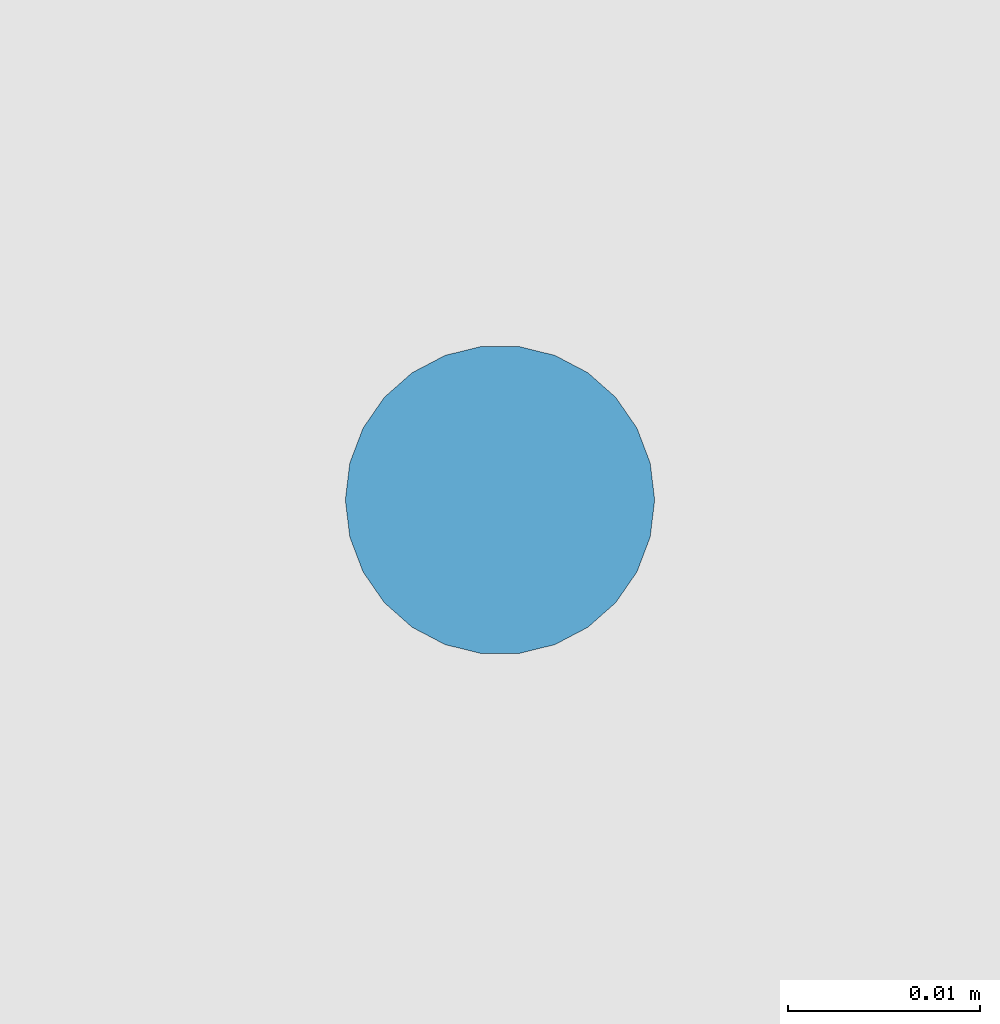
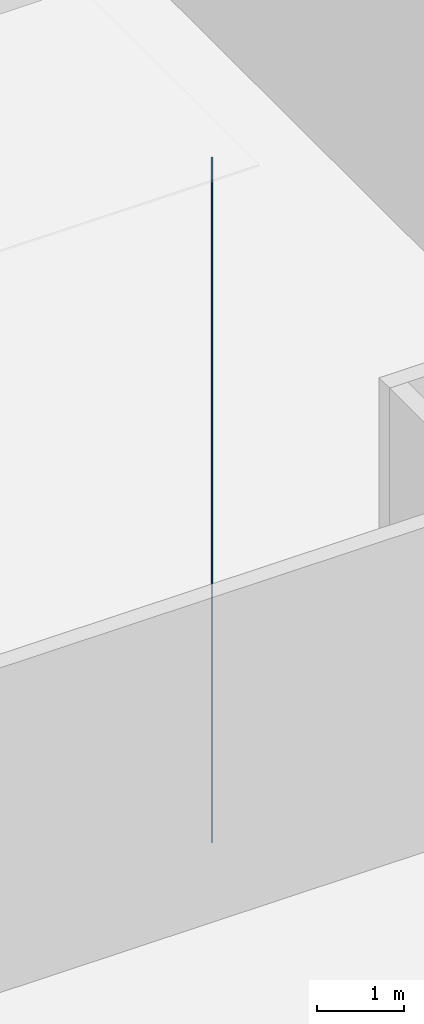
# One storey, part 63 of 82: 1 discrete accessory.
"""IFC4 building model written with IfcOpenShell, lengths in metres."""

from ifc_helpers import new_model, si_unit, direction, frame, origin, origin_2d, place, context, subcontext, project, spatial, circle, extrude, material, type_object, element, save


model = new_model("IFC4")

# Units and contexts
model_context = context("Model", 3, precision=1e-05, world=origin(), true_north=direction((0.0, 1.0)))
body_context = subcontext(model_context, "Body", "Model", "MODEL_VIEW")
ifc_project = project(units=[si_unit("LENGTHUNIT", "METRE"), si_unit("AREAUNIT", "SQUARE_METRE"), si_unit("VOLUMEUNIT", "CUBIC_METRE"), si_unit("PLANEANGLEUNIT", "RADIAN"), si_unit("MASSUNIT", "GRAM", prefix="KILO")], contexts=[model_context])

# Site, building, storey
site_placement = place(None, origin())
site = spatial("IfcSite", under=ifc_project, at=site_placement, CompositionType="ELEMENT")
building_placement = place(site_placement, origin())
building = spatial("IfcBuilding", under=site, at=building_placement, Name="Yukiwa Park Conservatory and Herbarium", CompositionType="ELEMENT")
storey_placement = place(building_placement, origin())
storey = spatial("IfcBuildingStorey", under=building, at=storey_placement, Name="L00", CompositionType="ELEMENT", Elevation=0.0)

# Discrete accessory
ifc_material = material(Name="Steel Q235B", Category="steel")
discrete_accessory_type = type_object("IfcDiscreteAccessoryType", Name="ACC-CEILING-HANGER", PredefinedType="BRACKET", material=ifc_material)
discrete_accessory_placement = place(storey_placement, frame((52.5, 88.39990234375, 8.625), z_axis=(0.0, 0.0, -1.0), x_axis=(1.0, 0.0, 0.0)))
element("IfcDiscreteAccessory", 1, at=discrete_accessory_placement, inside=storey, type_object=discrete_accessory_type, Name="Ceiling suspension hanger rod 10", PredefinedType="BRACKET", context=body_context, shape_type="SweptSolid", body=[
    extrude(circle(Radius=0.008056640625, at=origin_2d()), origin(), (0.0, 0.0, 1.0), 9.6201171875),
])

save(model, "model.ifc")
